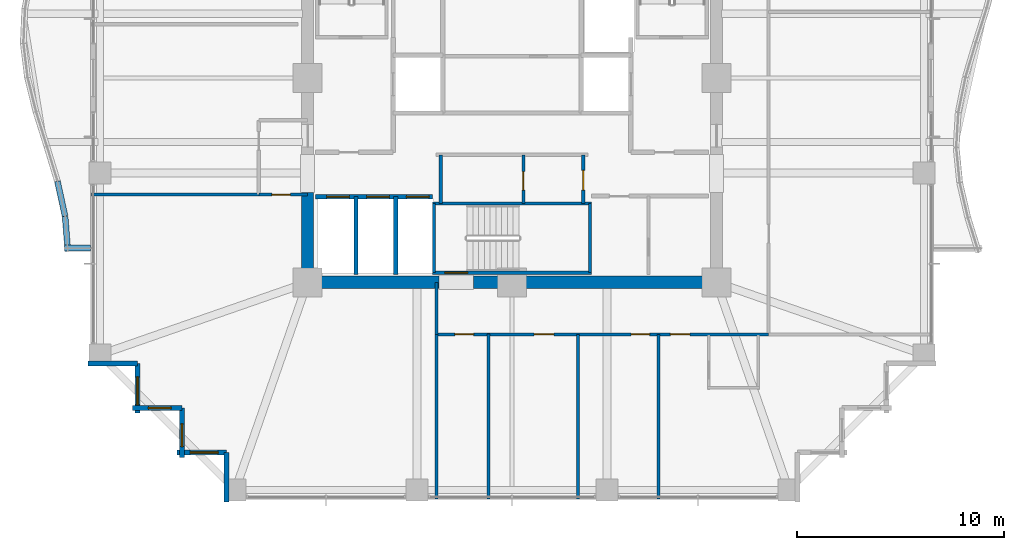
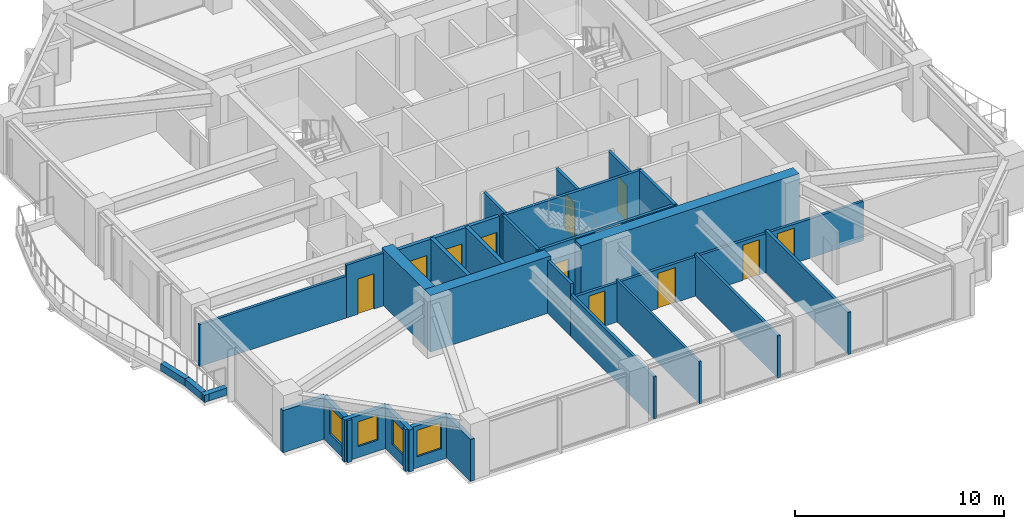
# One storey, part 30 of 36: 30 walls, 11 doors, 4 windows, 15 openings.
"""IFC4 building model written with IfcOpenShell, lengths in metres."""

from ifc_helpers import new_model, si_unit, direction, frame, frame_2d, origin, place, context, subcontext, project, spatial, rectangle, extrude, material, layer, layer_set, type_object, element, fill, save


model = new_model("IFC4")

# Units and contexts
model_context = context("Model", 3, precision=1e-05, world=origin(), true_north=direction((0.0, 1.0)))
body_context = subcontext(model_context, "Body", "Model", "MODEL_VIEW")
ifc_project = project(units=[si_unit("LENGTHUNIT", "METRE"), si_unit("AREAUNIT", "SQUARE_METRE"), si_unit("VOLUMEUNIT", "CUBIC_METRE"), si_unit("PLANEANGLEUNIT", "RADIAN"), si_unit("MASSUNIT", "GRAM", prefix="KILO")], contexts=[model_context])

# Site, building, storey
site_placement = place(None, origin())
site = spatial("IfcSite", under=ifc_project, at=site_placement, CompositionType="ELEMENT")
building_placement = place(site_placement, origin())
building = spatial("IfcBuilding", under=site, at=building_placement, Name="Kolvaren Belvedere", CompositionType="ELEMENT")
storey_placement = place(building_placement, frame((0.0, 0.0, 92.0)))
storey = spatial("IfcBuildingStorey", under=building, at=storey_placement, Name="L26", CompositionType="ELEMENT", Elevation=92.0)

# Walls
ifc_material_1 = material(Name="Concrete C60/75", Category="concrete")
ifc_layer_1 = layer(ifc_material_1, 0.60009765625)
ifc_layer_set_1 = layer_set([ifc_layer_1], Name="Concrete C60/75")
wall_type_1 = type_object("IfcWallType", Name="CW-CORE-600", PredefinedType="SHEAR", material=ifc_layer_set_1)
wall_1_placement = place(storey_placement, frame((10.199951171875, -9.89990234375, 0.0), z_axis=(0.0, 0.0, 1.0), x_axis=(-1.0, 0.0, 0.0)))
element("IfcWall", 1, at=wall_1_placement, inside=storey, type_object=wall_type_1, Name="L26 South Core Shear Wall 1", PredefinedType="SHEAR", context=body_context, shape_type="SweptSolid", body=[
    extrude(rectangle(XDim=12.06005859375, YDim=0.60009765625, at=frame_2d((6.030029296875, 0.0))), origin(), (0.0, 0.0, 1.0), 3.300048828125),
])
wall_2_placement = place(storey_placement, frame((-3.5400390625, -9.89990234375, 0.0), z_axis=(0.0, 0.0, 1.0), x_axis=(-1.0, 0.0, 0.0)))
element("IfcWall", 2, at=wall_2_placement, inside=storey, type_object=wall_type_1, Name="L26 South Core Shear Wall 2", PredefinedType="SHEAR", context=body_context, shape_type="SweptSolid", body=[
    extrude(rectangle(XDim=6.659912109375, YDim=0.60009765625, at=frame_2d((3.330078125, 0.0))), origin(), (0.0, 0.0, 1.0), 3.300048828125),
])
wall_3_placement = place(storey_placement, frame((-9.89990234375, -9.60009765625, 0.0), z_axis=(0.0, 0.0, 1.0), x_axis=(0.0, 1.0, 0.0)))
element("IfcWall", 3, at=wall_3_placement, inside=storey, type_object=wall_type_1, Name="L26 West Core Shear Wall 1", PredefinedType="SHEAR", context=body_context, shape_type="SweptSolid", body=[
    extrude(rectangle(XDim=4.050048828125, YDim=0.60009765625, at=frame_2d((2.02490234375, 0.0))), origin(), (0.0, 0.0, 1.0), 3.300048828125),
])

# Wall, opening, door
ifc_material_2 = material(Name="Concrete C50/60", Category="concrete")
ifc_layer_2 = layer(ifc_material_2, 0.159912109375)
ifc_layer_set_2 = layer_set([ifc_layer_2], Name="Concrete C50/60")
wall_type_2 = type_object("IfcWallType", Name="CW-STAIR-160", PredefinedType="SHEAR", material=ifc_layer_set_2)
wall_4_placement = place(storey_placement, frame((3.860107421875, -9.429931640625, 0.0), z_axis=(0.0, 0.0, 1.0), x_axis=(-1.0, 0.0, 0.0)))
wall_4 = element("IfcWall", 4, at=wall_4_placement, inside=storey, type_object=wall_type_2, Name="L26 Stair ST-3 South Shear Wall", PredefinedType="SHEAR", context=body_context, shape_type="SweptSolid", body=[
    extrude(rectangle(XDim=7.72021484375, YDim=0.159912109375, at=frame_2d((3.860107421875, 0.0))), origin(), (0.0, 0.0, 1.0), 3.300048828125),
])
opening_1_placement = place(wall_4_placement, frame((6.010009765625, 0.0, 0.0)))
opening_1 = element("IfcOpeningElement", 5, at=opening_1_placement, cuts=wall_4, Name="Opening D-FD90", PredefinedType="OPENING", context=body_context, shape_type="SweptSolid", body=[
    extrude(rectangle(XDim=1.10009765625, YDim=2.199951171875, at=frame_2d((0.550048828125, 1.10009765625))), frame((0.0, 0.08984375, 0.0), z_axis=(0.0, -1.0, 0.0), x_axis=(1.0, 0.0, 0.0)), (0.0, 0.0, 1.0), 0.179931640625),
])
ifc_material_3 = material(Name="Painted hollow stainless steel", Category="steel")
door_type_1 = type_object("IfcDoorType", Name="DR-FD90-1100", OperationType="NOTDEFINED", PredefinedType="DOOR", material=ifc_material_3)
door_1_placement = place(opening_1_placement, origin())
door_1 = element("IfcDoor", 6, at=door_1_placement, inside=storey, type_object=door_type_1, Name="L26 Stair ST-3 Exit Door", OperationType="SINGLE_SWING_RIGHT", OverallHeight=2.199951171875, OverallWidth=1.10009765625, PredefinedType="DOOR", context=body_context, shape_type="SweptSolid", body=[
    extrude(rectangle(XDim=1.10009765625, YDim=2.199951171875, at=frame_2d((0.550048828125, 1.10009765625))), frame((0.0, 0.02490234375, 0.0), z_axis=(0.0, -1.0, 0.0), x_axis=(1.0, 0.0, 0.0)), (0.0, 0.0, 1.0), 0.050048828125),
])
fill(opening_1, door_1)

# Walls
wall_5_placement = place(storey_placement, frame((-3.860107421875, -6.080078125, 0.0), z_axis=(0.0, 0.0, 1.0), x_axis=(1.0, 0.0, 0.0)))
element("IfcWall", 7, at=wall_5_placement, inside=storey, type_object=wall_type_2, Name="L26 Stair ST-3 North Shear Wall", PredefinedType="SHEAR", context=body_context, shape_type="SweptSolid", body=[
    extrude(rectangle(XDim=7.72021484375, YDim=0.159912109375, at=frame_2d((3.860107421875, 0.0))), origin(), (0.0, 0.0, 1.0), 3.300048828125),
])
for number, where, z_axis, x_axis, name in (
    (8, (-3.780029296875, -9.429931640625, 0.0), (0.0, 0.0, 1.0), (0.0, 1.0, 0.0), "L26 Stair ST-3 West Shear Wall"),
    (9, (3.780029296875, -9.429931640625, 0.0), (0.0, 0.0, 1.0), (0.0, 1.0, 0.0), "L26 Stair ST-3 East Shear Wall"),
):
    element("IfcWall", number, at=place(storey_placement, frame(where, z_axis=z_axis, x_axis=x_axis)), inside=storey, type_object=wall_type_2, Name=name, PredefinedType="SHEAR", context=body_context, shape_type="SweptSolid", body=[
        extrude(rectangle(XDim=3.349853515625, YDim=0.159912109375, at=frame_2d((1.6748046875, 0.0))), origin(), (0.0, 0.0, 1.0), 3.300048828125),
    ])

# Wall, openings, doors
ifc_material_4 = material(Name="Gypsum fire-rated partition assembly", Category="gypsum")
ifc_layer_3 = layer(ifc_material_4, 0.14990234375)
ifc_layer_set_3 = layer_set([ifc_layer_3], Name="Gypsum fire-rated partition assembly")
wall_type_3 = type_object("IfcWallType", Name="WL-CORR-150", PredefinedType="PARTITIONING", material=ifc_layer_set_3)
wall_6_placement = place(storey_placement, frame((-3.64990234375, -12.419921875, 0.0), z_axis=(0.0, 0.0, 1.0), x_axis=(1.0, 0.0, 0.0)))
wall_6 = element("IfcWall", 10, at=wall_6_placement, inside=storey, type_object=wall_type_3, Name="L26 South-East Corridor Wall", PredefinedType="PARTITIONING", context=body_context, shape_type="SweptSolid", body=[
    extrude(rectangle(XDim=16.06982421875, YDim=0.14990234375, at=frame_2d((8.034912109375, 0.0))), origin(), (0.0, 0.0, 1.0), 2.2919921875),
])
opening_2_placement = place(wall_6_placement, frame((0.88916015625, 0.0, 0.0)))
opening_2 = element("IfcOpeningElement", 11, at=opening_2_placement, cuts=wall_6, Name="Opening D-INT90", PredefinedType="OPENING", context=body_context, shape_type="SweptSolid", body=[
    extrude(rectangle(XDim=0.89990234375, YDim=2.06005859375, at=frame_2d((0.449951171875, 1.030029296875))), frame((0.0, 0.0849609375, 0.0), z_axis=(0.0, -1.0, 0.0), x_axis=(1.0, 0.0, 0.0)), (0.0, 0.0, 1.0), 0.169921875),
])
opening_3_placement = place(wall_6_placement, frame((4.7216796875, 0.0, 0.0)))
opening_3 = element("IfcOpeningElement", 12, at=opening_3_placement, cuts=wall_6, Name="Opening D-INT95", PredefinedType="OPENING", context=body_context, shape_type="SweptSolid", body=[
    extrude(rectangle(XDim=0.949951171875, YDim=2.06005859375, at=frame_2d((0.47509765625, 1.030029296875))), frame((0.0, 0.0849609375, 0.0), z_axis=(0.0, -1.0, 0.0), x_axis=(1.0, 0.0, 0.0)), (0.0, 0.0, 1.0), 0.169921875),
])
opening_4_placement = place(wall_6_placement, frame((9.415283203125, 0.0, 0.0)))
opening_4 = element("IfcOpeningElement", 13, at=opening_4_placement, cuts=wall_6, Name="Opening D-INT90", PredefinedType="OPENING", context=body_context, shape_type="SweptSolid", body=[
    extrude(rectangle(XDim=0.89990234375, YDim=2.06005859375, at=frame_2d((0.449951171875, 1.030029296875))), frame((0.0, 0.0849609375, 0.0), z_axis=(0.0, -1.0, 0.0), x_axis=(1.0, 0.0, 0.0)), (0.0, 0.0, 1.0), 0.169921875),
])
opening_5_placement = place(wall_6_placement, frame((11.31298828125, 0.0, 0.0)))
opening_5 = element("IfcOpeningElement", 14, at=opening_5_placement, cuts=wall_6, Name="Opening D-FD60", PredefinedType="OPENING", context=body_context, shape_type="SweptSolid", body=[
    extrude(rectangle(XDim=0.949951171875, YDim=2.06005859375, at=frame_2d((0.47509765625, 1.030029296875))), frame((0.0, 0.0849609375, 0.0), z_axis=(0.0, -1.0, 0.0), x_axis=(1.0, 0.0, 0.0)), (0.0, 0.0, 1.0), 0.169921875),
])
ifc_material_5 = material(Name="Acoustic white-oak fire door leaf", Category="timber")
door_type_2 = type_object("IfcDoorType", Name="DR-FD60-950", OperationType="NOTDEFINED", PredefinedType="DOOR", material=ifc_material_5)
door_2_placement = place(opening_5_placement, origin())
door_2 = element("IfcDoor", 15, at=door_2_placement, inside=storey, type_object=door_type_2, Name="L26 Panoramic Corner Hospitality Suite 2609 Entry Door", OperationType="SINGLE_SWING_LEFT", OverallHeight=2.06005859375, OverallWidth=0.949951171875, PredefinedType="DOOR", context=body_context, shape_type="SweptSolid", body=[
    extrude(rectangle(XDim=0.949951171875, YDim=2.06005859375, at=frame_2d((0.47509765625, 1.030029296875))), frame((0.0, 0.02490234375, 0.0), z_axis=(0.0, -1.0, 0.0), x_axis=(1.0, 0.0, 0.0)), (0.0, 0.0, 1.0), 0.050048828125),
])
fill(opening_5, door_2)
ifc_material_6 = material(Name="Stained Pacific white oak", Category="timber")
door_type_3 = type_object("IfcDoorType", Name="DR-INT-900", OperationType="NOTDEFINED", PredefinedType="DOOR", material=ifc_material_6)
door_3_placement = place(opening_2_placement, origin())
door_3 = element("IfcDoor", 16, at=door_3_placement, inside=storey, type_object=door_type_3, Name="L26 Housekeeping Door", OperationType="SINGLE_SWING_LEFT", OverallHeight=2.06005859375, OverallWidth=0.89990234375, PredefinedType="DOOR", context=body_context, shape_type="SweptSolid", body=[
    extrude(rectangle(XDim=0.89990234375, YDim=2.06005859375, at=frame_2d((0.449951171875, 1.030029296875))), frame((0.0, 0.02490234375, 0.0), z_axis=(0.0, -1.0, 0.0), x_axis=(1.0, 0.0, 0.0)), (0.0, 0.0, 1.0), 0.050048828125),
])
fill(opening_2, door_3)
door_4_placement = place(opening_4_placement, origin())
door_4 = element("IfcDoor", 17, at=door_4_placement, inside=storey, type_object=door_type_3, Name="L26 Lounge 2608 Door", OperationType="SINGLE_SWING_LEFT", OverallHeight=2.06005859375, OverallWidth=0.89990234375, PredefinedType="DOOR", context=body_context, shape_type="SweptSolid", body=[
    extrude(rectangle(XDim=0.89990234375, YDim=2.06005859375, at=frame_2d((0.449951171875, 1.030029296875))), frame((0.0, 0.02490234375, 0.0), z_axis=(0.0, -1.0, 0.0), x_axis=(1.0, 0.0, 0.0)), (0.0, 0.0, 1.0), 0.050048828125),
])
fill(opening_4, door_4)
ifc_material_7 = material(Name="Stained Pacific white oak", Category="timber")
door_type_4 = type_object("IfcDoorType", Name="DR-INT-950", OperationType="NOTDEFINED", PredefinedType="DOOR", material=ifc_material_7)
door_5_placement = place(opening_3_placement, origin())
door_5 = element("IfcDoor", 18, at=door_5_placement, inside=storey, type_object=door_type_4, Name="L26 Accessible Washroom Door", OperationType="SINGLE_SWING_RIGHT", OverallHeight=2.06005859375, OverallWidth=0.949951171875, PredefinedType="DOOR", context=body_context, shape_type="SweptSolid", body=[
    extrude(rectangle(XDim=0.949951171875, YDim=2.06005859375, at=frame_2d((0.47509765625, 1.030029296875))), frame((0.0, 0.02490234375, 0.0), z_axis=(0.0, -1.0, 0.0), x_axis=(1.0, 0.0, 0.0)), (0.0, 0.0, 1.0), 0.050048828125),
])
fill(opening_3, door_5)

# Wall
wall_7_placement = place(storey_placement, frame((-3.64990234375, -12.419921875, 0.0), z_axis=(0.0, 0.0, 1.0), x_axis=(0.0, 1.0, 0.0)))
element("IfcWall", 19, at=wall_7_placement, inside=storey, type_object=wall_type_3, Name="L26 South Spur West Closure Wall", PredefinedType="PARTITIONING", context=body_context, shape_type="SweptSolid", body=[
    extrude(rectangle(XDim=2.52001953125, YDim=0.14990234375, at=frame_2d((1.260009765625, 0.0))), origin(), (0.0, 0.0, 1.0), 3.080078125),
])

# Wall, opening, door
wall_8_placement = place(storey_placement, frame((-12.260009765625, -5.64990234375, 0.0), z_axis=(0.0, 0.0, 1.0), x_axis=(1.0, 0.0, 0.0)))
wall_8 = element("IfcWall", 20, at=wall_8_placement, inside=storey, type_object=wall_type_3, Name="L26 West Pocket South Closure Wall", PredefinedType="PARTITIONING", context=body_context, shape_type="SweptSolid", body=[
    extrude(rectangle(XDim=2.360107421875, YDim=0.14990234375, at=frame_2d((1.18017578125, 0.0))), origin(), (0.0, 0.0, 1.0), 3.080078125),
])
opening_6_placement = place(wall_8_placement, frame((0.631591796875, 0.0, 0.0)))
opening_6 = element("IfcOpeningElement", 21, at=opening_6_placement, cuts=wall_8, Name="Opening D-INT90", PredefinedType="OPENING", context=body_context, shape_type="SweptSolid", body=[
    extrude(rectangle(XDim=0.89990234375, YDim=2.06005859375, at=frame_2d((0.449951171875, 1.030029296875))), frame((0.0, 0.0849609375, 0.0), z_axis=(0.0, -1.0, 0.0), x_axis=(1.0, 0.0, 0.0)), (0.0, 0.0, 1.0), 0.169921875),
])
door_6_placement = place(opening_6_placement, origin())
door_6 = element("IfcDoor", 22, at=door_6_placement, inside=storey, type_object=door_type_3, Name="L26 Lounge 2607 Door", OperationType="SINGLE_SWING_RIGHT", OverallHeight=2.06005859375, OverallWidth=0.89990234375, PredefinedType="DOOR", context=body_context, shape_type="SweptSolid", body=[
    extrude(rectangle(XDim=0.89990234375, YDim=2.06005859375, at=frame_2d((0.449951171875, 1.030029296875))), frame((0.0, 0.02490234375, 0.0), z_axis=(0.0, -1.0, 0.0), x_axis=(1.0, 0.0, 0.0)), (0.0, 0.0, 1.0), 0.050048828125),
])
fill(opening_6, door_6)

# Wall
ifc_material_8 = material(Name="Insulated pale-metal facade wall assembly", Category="aluminium")
ifc_layer_4 = layer(ifc_material_8, 0.239990234375)
ifc_layer_set_4 = layer_set([ifc_layer_4], Name="Insulated pale-metal facade wall assembly")
wall_type_4 = type_object("IfcWallType", Name="WL-EXT-240", PredefinedType="STANDARD", material=ifc_layer_set_4)
wall_9_placement = place(storey_placement, frame((-18.1298828125, -13.830078125, 0.0), z_axis=(0.0, 0.0, 1.0), x_axis=(-1.0, 0.0, 0.0)))
element("IfcWall", 23, at=wall_9_placement, inside=storey, type_object=wall_type_4, Name="L26 Serrated Corner Facade Wall 23", PredefinedType="STANDARD", context=body_context, shape_type="SweptSolid", body=[
    extrude(rectangle(XDim=2.39013671875, YDim=0.239990234375, at=frame_2d((1.195068359375, 0.0))), origin(), (0.0, 0.0, 1.0), 2.458984375),
])

# Wall, opening, window
wall_10_placement = place(storey_placement, frame((-18.1298828125, -16.219970703125, 0.0), z_axis=(0.0, 0.0, 1.0), x_axis=(0.0, 1.0, 0.0)))
wall_10 = element("IfcWall", 24, at=wall_10_placement, inside=storey, type_object=wall_type_4, Name="L26 Serrated Corner Facade Wall 24", PredefinedType="STANDARD", context=body_context, shape_type="SweptSolid", body=[
    extrude(rectangle(XDim=2.389892578125, YDim=0.239990234375, at=frame_2d((1.19482421875, 0.0))), origin(), (0.0, 0.0, 1.0), 2.458984375),
])
opening_7_placement = place(wall_10_placement, frame((0.39990234375, 0.0, 0.64990234375)))
opening_7 = element("IfcOpeningElement", 25, at=opening_7_placement, cuts=wall_10, Name="Opening W-1350", PredefinedType="OPENING", context=body_context, shape_type="SweptSolid", body=[
    extrude(rectangle(XDim=1.35009765625, YDim=1.550048828125, at=frame_2d((0.675048828125, 0.77490234375))), frame((0.0, 0.1298828125, 0.0), z_axis=(0.0, -1.0, 0.0), x_axis=(1.0, 0.0, 0.0)), (0.0, 0.0, 1.0), 0.260009765625),
])
ifc_material_9 = material(Name="Low-iron triple insulated glass", Category="glass")
window_type_1 = type_object("IfcWindowType", Name="WN-CORN-1350", PartitioningType="SINGLE_PANEL", PredefinedType="WINDOW", material=ifc_material_9)
window_1_placement = place(opening_7_placement, origin())
window_1 = element("IfcWindow", 26, at=window_1_placement, inside=storey, type_object=window_type_1, Name="L26 Serrated Corner Vision Window 24", OverallHeight=1.550048828125, OverallWidth=1.35009765625, PartitioningType="SINGLE_PANEL", PredefinedType="WINDOW", context=body_context, shape_type="SweptSolid", body=[
    extrude(rectangle(XDim=1.35009765625, YDim=1.550048828125, at=frame_2d((0.675048828125, 0.77490234375))), frame((0.0, 0.030029296875, 0.0), z_axis=(0.0, -1.0, 0.0), x_axis=(1.0, 0.0, 0.0)), (0.0, 0.0, 1.0), 0.06005859375),
])
fill(opening_7, window_1)

wall_11_placement = place(storey_placement, frame((-15.97998046875, -15.97998046875, 0.0), z_axis=(0.0, 0.0, 1.0), x_axis=(-1.0, 0.0, 0.0)))
wall_11 = element("IfcWall", 27, at=wall_11_placement, inside=storey, type_object=wall_type_4, Name="L26 Serrated Corner Facade Wall 25", PredefinedType="STANDARD", context=body_context, shape_type="SweptSolid", body=[
    extrude(rectangle(XDim=2.39013671875, YDim=0.239990234375, at=frame_2d((1.195068359375, 0.0))), origin(), (0.0, 0.0, 1.0), 2.458984375),
])
opening_8_placement = place(wall_11_placement, frame((0.52490234375, 0.0, 0.64990234375)))
opening_8 = element("IfcOpeningElement", 28, at=opening_8_placement, cuts=wall_11, Name="Opening W-1100", PredefinedType="OPENING", context=body_context, shape_type="SweptSolid", body=[
    extrude(rectangle(XDim=1.10009765625, YDim=1.449951171875, at=frame_2d((0.550048828125, 0.72509765625))), frame((0.0, 0.1298828125, 0.0), z_axis=(0.0, -1.0, 0.0), x_axis=(1.0, 0.0, 0.0)), (0.0, 0.0, 1.0), 0.260009765625),
])
ifc_material_10 = material(Name="Low-iron triple insulated glass", Category="glass")
window_type_2 = type_object("IfcWindowType", Name="WN-CORN-1100", PartitioningType="SINGLE_PANEL", PredefinedType="WINDOW", material=ifc_material_10)
window_2_placement = place(opening_8_placement, origin())
window_2 = element("IfcWindow", 29, at=window_2_placement, inside=storey, type_object=window_type_2, Name="L26 Serrated Corner Vision Window 25", OverallHeight=1.449951171875, OverallWidth=1.10009765625, PartitioningType="SINGLE_PANEL", PredefinedType="WINDOW", context=body_context, shape_type="SweptSolid", body=[
    extrude(rectangle(XDim=1.10009765625, YDim=1.449951171875, at=frame_2d((0.550048828125, 0.72509765625))), frame((0.0, 0.030029296875, 0.0), z_axis=(0.0, -1.0, 0.0), x_axis=(1.0, 0.0, 0.0)), (0.0, 0.0, 1.0), 0.06005859375),
])
fill(opening_8, window_2)

wall_12_placement = place(storey_placement, frame((-15.97998046875, -18.3701171875, 0.0), z_axis=(0.0, 0.0, 1.0), x_axis=(0.0, 1.0, 0.0)))
wall_12 = element("IfcWall", 30, at=wall_12_placement, inside=storey, type_object=wall_type_4, Name="L26 Serrated Corner Facade Wall 26", PredefinedType="STANDARD", context=body_context, shape_type="SweptSolid", body=[
    extrude(rectangle(XDim=2.39013671875, YDim=0.239990234375, at=frame_2d((1.195068359375, 0.0))), origin(), (0.0, 0.0, 1.0), 2.458984375),
])
opening_9_placement = place(wall_12_placement, frame((0.52490234375, 0.0, 0.64990234375)))
opening_9 = element("IfcOpeningElement", 31, at=opening_9_placement, cuts=wall_12, Name="Opening W-1100", PredefinedType="OPENING", context=body_context, shape_type="SweptSolid", body=[
    extrude(rectangle(XDim=1.10009765625, YDim=1.449951171875, at=frame_2d((0.550048828125, 0.72509765625))), frame((0.0, 0.1298828125, 0.0), z_axis=(0.0, -1.0, 0.0), x_axis=(1.0, 0.0, 0.0)), (0.0, 0.0, 1.0), 0.260009765625),
])
window_3_placement = place(opening_9_placement, origin())
window_3 = element("IfcWindow", 32, at=window_3_placement, inside=storey, type_object=window_type_2, Name="L26 Serrated Corner Vision Window 26", OverallHeight=1.449951171875, OverallWidth=1.10009765625, PartitioningType="SINGLE_PANEL", PredefinedType="WINDOW", context=body_context, shape_type="SweptSolid", body=[
    extrude(rectangle(XDim=1.10009765625, YDim=1.449951171875, at=frame_2d((0.550048828125, 0.72509765625))), frame((0.0, 0.030029296875, 0.0), z_axis=(0.0, -1.0, 0.0), x_axis=(1.0, 0.0, 0.0)), (0.0, 0.0, 1.0), 0.06005859375),
])
fill(opening_9, window_3)

wall_13_placement = place(storey_placement, frame((-13.830078125, -18.1298828125, 0.0), z_axis=(0.0, 0.0, 1.0), x_axis=(-1.0, 0.0, 0.0)))
wall_13 = element("IfcWall", 33, at=wall_13_placement, inside=storey, type_object=wall_type_4, Name="L26 Serrated Corner Facade Wall 27", PredefinedType="STANDARD", context=body_context, shape_type="SweptSolid", body=[
    extrude(rectangle(XDim=2.389892578125, YDim=0.239990234375, at=frame_2d((1.19482421875, 0.0))), origin(), (0.0, 0.0, 1.0), 2.458984375),
])
opening_10_placement = place(wall_13_placement, frame((0.39990234375, 0.0, 0.64990234375)))
opening_10 = element("IfcOpeningElement", 34, at=opening_10_placement, cuts=wall_13, Name="Opening W-1350", PredefinedType="OPENING", context=body_context, shape_type="SweptSolid", body=[
    extrude(rectangle(XDim=1.35009765625, YDim=1.550048828125, at=frame_2d((0.675048828125, 0.77490234375))), frame((0.0, 0.1298828125, 0.0), z_axis=(0.0, -1.0, 0.0), x_axis=(1.0, 0.0, 0.0)), (0.0, 0.0, 1.0), 0.260009765625),
])
window_4_placement = place(opening_10_placement, origin())
window_4 = element("IfcWindow", 35, at=window_4_placement, inside=storey, type_object=window_type_1, Name="L26 Serrated Corner Vision Window 27", OverallHeight=1.550048828125, OverallWidth=1.35009765625, PartitioningType="SINGLE_PANEL", PredefinedType="WINDOW", context=body_context, shape_type="SweptSolid", body=[
    extrude(rectangle(XDim=1.35009765625, YDim=1.550048828125, at=frame_2d((0.675048828125, 0.77490234375))), frame((0.0, 0.030029296875, 0.0), z_axis=(0.0, -1.0, 0.0), x_axis=(1.0, 0.0, 0.0)), (0.0, 0.0, 1.0), 0.06005859375),
])
fill(opening_10, window_4)

# Wall
wall_14_placement = place(storey_placement, frame((-13.830078125, -20.52001953125, 0.0), z_axis=(0.0, 0.0, 1.0), x_axis=(0.0, 1.0, 0.0)))
element("IfcWall", 36, at=wall_14_placement, inside=storey, type_object=wall_type_4, Name="L26 Serrated Corner Facade Wall 28", PredefinedType="STANDARD", context=body_context, shape_type="SweptSolid", body=[
    extrude(rectangle(XDim=2.39013671875, YDim=0.239990234375, at=frame_2d((1.195068359375, 0.0))), origin(), (0.0, 0.0, 1.0), 2.458984375),
])

# Wall, opening, door
ifc_material_11 = material(Name="Gypsum acoustic partition assembly", Category="gypsum")
ifc_layer_5 = layer(ifc_material_11, 0.14990234375)
ifc_layer_set_5 = layer_set([ifc_layer_5], Name="Gypsum acoustic partition assembly")
wall_type_5 = type_object("IfcWallType", Name="WL-PART-150", PredefinedType="PARTITIONING", material=ifc_layer_set_5)
wall_15_placement = place(storey_placement, frame((3.449951171875, -6.080078125, 0.0), z_axis=(0.0, 0.0, 1.0), x_axis=(0.0, 1.0, 0.0)))
wall_15 = element("IfcWall", 37, at=wall_15_placement, inside=storey, type_object=wall_type_5, Name="L26 South Core Service East Wall", PredefinedType="PARTITIONING", context=body_context, shape_type="SweptSolid", body=[
    extrude(rectangle(XDim=2.360107421875, YDim=0.14990234375, at=frame_2d((1.18017578125, 0.0))), origin(), (0.0, 0.0, 1.0), 3.080078125),
])
opening_11_placement = place(wall_15_placement, frame((0.64990234375, 0.0, 0.0)))
opening_11 = element("IfcOpeningElement", 38, at=opening_11_placement, cuts=wall_15, Name="Opening D-FD60", PredefinedType="OPENING", context=body_context, shape_type="SweptSolid", body=[
    extrude(rectangle(XDim=0.949951171875, YDim=2.06005859375, at=frame_2d((0.47509765625, 1.030029296875))), frame((0.0, 0.0849609375, 0.0), z_axis=(0.0, -1.0, 0.0), x_axis=(1.0, 0.0, 0.0)), (0.0, 0.0, 1.0), 0.169921875),
])
door_7_placement = place(opening_11_placement, origin())
door_7 = element("IfcDoor", 39, at=door_7_placement, inside=storey, type_object=door_type_2, Name="L26 Core Service Room Door", OperationType="SINGLE_SWING_LEFT", OverallHeight=2.06005859375, OverallWidth=0.949951171875, PredefinedType="DOOR", context=body_context, shape_type="SweptSolid", body=[
    extrude(rectangle(XDim=0.949951171875, YDim=2.06005859375, at=frame_2d((0.47509765625, 1.030029296875))), frame((0.0, 0.02490234375, 0.0), z_axis=(0.0, -1.0, 0.0), x_axis=(1.0, 0.0, 0.0)), (0.0, 0.0, 1.0), 0.050048828125),
])
fill(opening_11, door_7)

# Wall
wall_16_placement = place(storey_placement, frame((-3.449951171875, -6.080078125, 0.0), z_axis=(0.0, 0.0, 1.0), x_axis=(0.0, 1.0, 0.0)))
element("IfcWall", 40, at=wall_16_placement, inside=storey, type_object=wall_type_5, Name="L26 South Core Service West Wall", PredefinedType="PARTITIONING", context=body_context, shape_type="SweptSolid", body=[
    extrude(rectangle(XDim=2.360107421875, YDim=0.14990234375, at=frame_2d((1.18017578125, 0.0))), origin(), (0.0, 0.0, 1.0), 3.080078125),
])

# Wall, opening, door
wall_17_placement = place(storey_placement, frame((0.550048828125, -6.080078125, 0.0), z_axis=(0.0, 0.0, 1.0), x_axis=(0.0, 1.0, 0.0)))
wall_17 = element("IfcWall", 41, at=wall_17_placement, inside=storey, type_object=wall_type_5, Name="L26 Core Service Divider", PredefinedType="PARTITIONING", context=body_context, shape_type="SweptSolid", body=[
    extrude(rectangle(XDim=2.360107421875, YDim=0.14990234375, at=frame_2d((1.18017578125, 0.0))), origin(), (0.0, 0.0, 1.0), 3.080078125),
])
opening_12_placement = place(wall_17_placement, frame((0.64990234375, 0.0, 0.0)))
opening_12 = element("IfcOpeningElement", 42, at=opening_12_placement, cuts=wall_17, Name="Opening D-INT90", PredefinedType="OPENING", context=body_context, shape_type="SweptSolid", body=[
    extrude(rectangle(XDim=0.89990234375, YDim=2.06005859375, at=frame_2d((0.449951171875, 1.030029296875))), frame((0.0, 0.0849609375, 0.0), z_axis=(0.0, -1.0, 0.0), x_axis=(1.0, 0.0, 0.0)), (0.0, 0.0, 1.0), 0.169921875),
])
door_8_placement = place(opening_12_placement, origin())
door_8 = element("IfcDoor", 43, at=door_8_placement, inside=storey, type_object=door_type_3, Name="L26 BMS Inner Door", OperationType="SINGLE_SWING_LEFT", OverallHeight=2.06005859375, OverallWidth=0.89990234375, PredefinedType="DOOR", context=body_context, shape_type="SweptSolid", body=[
    extrude(rectangle(XDim=0.89990234375, YDim=2.06005859375, at=frame_2d((0.449951171875, 1.030029296875))), frame((0.0, 0.02490234375, 0.0), z_axis=(0.0, -1.0, 0.0), x_axis=(1.0, 0.0, 0.0)), (0.0, 0.0, 1.0), 0.050048828125),
])
fill(opening_12, door_8)

# Walls
wall_18_placement = place(storey_placement, frame((-20.3798828125, -5.64990234375, 0.0), z_axis=(0.0, 0.0, 1.0), x_axis=(1.0, 0.0, 0.0)))
element("IfcWall", 44, at=wall_18_placement, inside=storey, type_object=wall_type_5, Name="L26 West Mid Suite South Wall", PredefinedType="PARTITIONING", context=body_context, shape_type="SweptSolid", body=[
    extrude(rectangle(XDim=8.119873046875, YDim=0.14990234375, at=frame_2d((4.06005859375, 0.0))), origin(), (0.0, 0.0, 1.0), 2.448974609375),
])
for number, where, z_axis, x_axis, name in (
    (45, (-3.64990234375, -20.3798828125, 0.0), (0.0, 0.0, 1.0), (0.0, 1.0, 0.0), "L26 South Mid-West Wall"),
    (46, (3.199951171875, -20.3798828125, 0.0), (0.0, 0.0, 1.0), (0.0, 1.0, 0.0), "L26 South-East Suite Divider 1"),
    (47, (7.10009765625, -20.3798828125, 0.0), (0.0, 0.0, 1.0), (0.0, 1.0, 0.0), "L26 South-East Suite Divider 2"),
):
    element("IfcWall", number, at=place(storey_placement, frame(where, z_axis=z_axis, x_axis=x_axis)), inside=storey, type_object=wall_type_5, Name=name, PredefinedType="PARTITIONING", context=body_context, shape_type="SweptSolid", body=[
        extrude(rectangle(XDim=7.9599609375, YDim=0.14990234375, at=frame_2d((3.97998046875, 0.0))), origin(), (0.0, 0.0, 1.0), 2.448974609375),
    ])
ifc_material_12 = material(Name="Precast concrete C40/50", Category="concrete")
ifc_layer_6 = layer(ifc_material_12, 0.300048828125)
ifc_layer_set_6 = layer_set([ifc_layer_6], Name="Precast concrete C40/50")
wall_type_6 = type_object("IfcWallType", Name="WL-PLANTER-300", PredefinedType="PARAPET", material=ifc_layer_set_6)
wall_19_placement = place(storey_placement, frame((-22.0048828125, -5.005859375, -0.0400390625), z_axis=(0.0, 0.0, 1.0), x_axis=(0.213802724545, -0.976876857632, 0.0)))
element("IfcWall", 48, at=wall_19_placement, inside=storey, type_object=wall_type_6, Name="L26 Precast Structural Planter Wall BAL-W-9", PredefinedType="PARAPET", context=body_context, shape_type="SweptSolid", body=[
    extrude(rectangle(XDim=1.7197265625, YDim=0.280029296875, at=frame_2d((0.85986328125, 0.0))), origin(), (0.0, 0.0, 1.0), 0.419921875),
])
wall_20_placement = place(storey_placement, frame((-21.634033203125, -6.707275390625, -0.0400390625), z_axis=(0.0, 0.0, 1.0), x_axis=(0.079244268248, -0.99685522818, 0.0)))
element("IfcWall", 49, at=wall_20_placement, inside=storey, type_object=wall_type_6, Name="L26 Precast Structural Planter Wall BAL-W-10", PredefinedType="PARAPET", context=body_context, shape_type="SweptSolid", body=[
    extrude(rectangle(XDim=1.685302734375, YDim=0.280029296875, at=frame_2d((0.8427734375, 0.0))), origin(), (0.0, 0.0, 1.0), 0.419921875),
])
wall_21_placement = place(storey_placement, frame((-21.659912109375, -8.239990234375, -0.0400390625), z_axis=(0.0, 0.0, 1.0), x_axis=(1.0, 0.0, 0.0)))
element("IfcWall", 50, at=wall_21_placement, inside=storey, type_object=wall_type_6, Name="L26 Precast Structural Planter Wall BAL-W-11", PredefinedType="PARAPET", context=body_context, shape_type="SweptSolid", body=[
    extrude(rectangle(XDim=1.260009765625, YDim=0.280029296875, at=frame_2d((0.6298828125, 0.0))), origin(), (0.0, 0.0, 1.0), 0.419921875),
])

# Wall, openings, doors
ifc_material_13 = material(Name="Concrete C50/60", Category="concrete")
ifc_layer_7 = layer(ifc_material_13, 0.199951171875)
ifc_layer_set_7 = layer_set([ifc_layer_7], Name="Concrete C50/60")
wall_type_7 = type_object("IfcWallType", Name="WL-SHAFT-200", PredefinedType="SOLIDWALL", material=ifc_layer_set_7)
wall_22_placement = place(storey_placement, frame((-9.52001953125, -5.75, 0.0), z_axis=(0.0, 0.0, 1.0), x_axis=(1.0, 0.0, 0.0)))
wall_22 = element("IfcWall", 51, at=wall_22_placement, inside=storey, type_object=wall_type_7, Name="L26 Mid-Rise Lift Bank Front Wall", PredefinedType="SOLIDWALL", context=body_context, shape_type="SweptSolid", body=[
    extrude(rectangle(XDim=5.659912109375, YDim=0.199951171875, at=frame_2d((2.830078125, 0.0))), origin(), (0.0, 0.0, 1.0), 3.080078125),
])
opening_13_placement = place(wall_22_placement, frame((0.550048828125, 0.0, 0.0)))
opening_13 = element("IfcOpeningElement", 52, at=opening_13_placement, cuts=wall_22, Name="Opening LD-11", PredefinedType="OPENING", context=body_context, shape_type="SweptSolid", body=[
    extrude(rectangle(XDim=1.10009765625, YDim=2.199951171875, at=frame_2d((0.550048828125, 1.10009765625))), frame((0.0, 0.10986328125, 0.0), z_axis=(0.0, -1.0, 0.0), x_axis=(1.0, 0.0, 0.0)), (0.0, 0.0, 1.0), 0.219970703125),
])
opening_14_placement = place(wall_22_placement, frame((2.47998046875, 0.0, 0.0)))
opening_14 = element("IfcOpeningElement", 53, at=opening_14_placement, cuts=wall_22, Name="Opening LD-11", PredefinedType="OPENING", context=body_context, shape_type="SweptSolid", body=[
    extrude(rectangle(XDim=1.10009765625, YDim=2.199951171875, at=frame_2d((0.550048828125, 1.10009765625))), frame((0.0, 0.10986328125, 0.0), z_axis=(0.0, -1.0, 0.0), x_axis=(1.0, 0.0, 0.0)), (0.0, 0.0, 1.0), 0.219970703125),
])
opening_15_placement = place(wall_22_placement, frame((4.409912109375, 0.0, 0.0)))
opening_15 = element("IfcOpeningElement", 54, at=opening_15_placement, cuts=wall_22, Name="Opening LD-11", PredefinedType="OPENING", context=body_context, shape_type="SweptSolid", body=[
    extrude(rectangle(XDim=1.10009765625, YDim=2.199951171875, at=frame_2d((0.550048828125, 1.10009765625))), frame((0.0, 0.10986328125, 0.0), z_axis=(0.0, -1.0, 0.0), x_axis=(1.0, 0.0, 0.0)), (0.0, 0.0, 1.0), 0.219970703125),
])
ifc_material_14 = material(Name="Brushed stainless steel", Category="steel")
door_type_5 = type_object("IfcDoorType", Name="DR-LIFT-1100", OperationType="DOUBLE_DOOR_SLIDING", PredefinedType="DOOR", material=ifc_material_14)
door_9_placement = place(opening_13_placement, origin())
door_9 = element("IfcDoor", 55, at=door_9_placement, inside=storey, type_object=door_type_5, Name="L26 Passenger Lift P4 Landing Door", OperationType="DOUBLE_DOOR_SLIDING", OverallHeight=2.199951171875, OverallWidth=1.10009765625, PredefinedType="DOOR", context=body_context, shape_type="SweptSolid", body=[
    extrude(rectangle(XDim=1.10009765625, YDim=2.199951171875, at=frame_2d((0.550048828125, 1.10009765625))), frame((0.0, 0.02490234375, 0.0), z_axis=(0.0, -1.0, 0.0), x_axis=(1.0, 0.0, 0.0)), (0.0, 0.0, 1.0), 0.050048828125),
])
fill(opening_13, door_9)
door_10_placement = place(opening_14_placement, origin())
door_10 = element("IfcDoor", 56, at=door_10_placement, inside=storey, type_object=door_type_5, Name="L26 Passenger Lift P5 Landing Door", OperationType="DOUBLE_DOOR_SLIDING", OverallHeight=2.199951171875, OverallWidth=1.10009765625, PredefinedType="DOOR", context=body_context, shape_type="SweptSolid", body=[
    extrude(rectangle(XDim=1.10009765625, YDim=2.199951171875, at=frame_2d((0.550048828125, 1.10009765625))), frame((0.0, 0.02490234375, 0.0), z_axis=(0.0, -1.0, 0.0), x_axis=(1.0, 0.0, 0.0)), (0.0, 0.0, 1.0), 0.050048828125),
])
fill(opening_14, door_10)
door_11_placement = place(opening_15_placement, origin())
door_11 = element("IfcDoor", 57, at=door_11_placement, inside=storey, type_object=door_type_5, Name="L26 Passenger Lift P6 Landing Door", OperationType="DOUBLE_DOOR_SLIDING", OverallHeight=2.199951171875, OverallWidth=1.10009765625, PredefinedType="DOOR", context=body_context, shape_type="SweptSolid", body=[
    extrude(rectangle(XDim=1.10009765625, YDim=2.199951171875, at=frame_2d((0.550048828125, 1.10009765625))), frame((0.0, 0.02490234375, 0.0), z_axis=(0.0, -1.0, 0.0), x_axis=(1.0, 0.0, 0.0)), (0.0, 0.0, 1.0), 0.050048828125),
])
fill(opening_15, door_11)

# Walls
for number, where, z_axis, x_axis, name in (
    (58, (-7.56005859375, -9.52001953125, 0.0), (0.0, 0.0, 1.0), (0.0, 1.0, 0.0), "L26 Mid-Rise Hoistway Divider 1"),
    (59, (-5.6298828125, -9.52001953125, 0.0), (0.0, 0.0, 1.0), (0.0, 1.0, 0.0), "L26 Mid-Rise Hoistway Divider 2"),
):
    element("IfcWall", number, at=place(storey_placement, frame(where, z_axis=z_axis, x_axis=x_axis)), inside=storey, type_object=wall_type_7, Name=name, PredefinedType="SOLIDWALL", context=body_context, shape_type="SweptSolid", body=[
        extrude(rectangle(XDim=3.77001953125, YDim=0.199951171875, at=frame_2d((1.885009765625, 0.0))), origin(), (0.0, 0.0, 1.0), 3.080078125),
    ])
ifc_material_15 = material(Name="Moisture-resistant gypsum partition", Category="gypsum")
ifc_layer_8 = layer(ifc_material_15, 0.125)
ifc_layer_set_8 = layer_set([ifc_layer_8], Name="Moisture-resistant gypsum partition")
wall_type_8 = type_object("IfcWallType", Name="WL-WET-125", PredefinedType="PARTITIONING", material=ifc_layer_set_8)
wall_23_placement = place(storey_placement, frame((-1.138916015625, -20.3798828125, 0.0), z_axis=(0.0, 0.0, 1.0), x_axis=(0.0, 1.0, 0.0)))
element("IfcWall", 60, at=wall_23_placement, inside=storey, type_object=wall_type_8, Name="L26 Housekeeping Washroom Divider", PredefinedType="PARTITIONING", context=body_context, shape_type="SweptSolid", body=[
    extrude(rectangle(XDim=7.98486328125, YDim=0.125, at=frame_2d((3.992431640625, 0.0))), origin(), (0.0, 0.0, 1.0), 2.448974609375),
])

save(model, "model.ifc")
